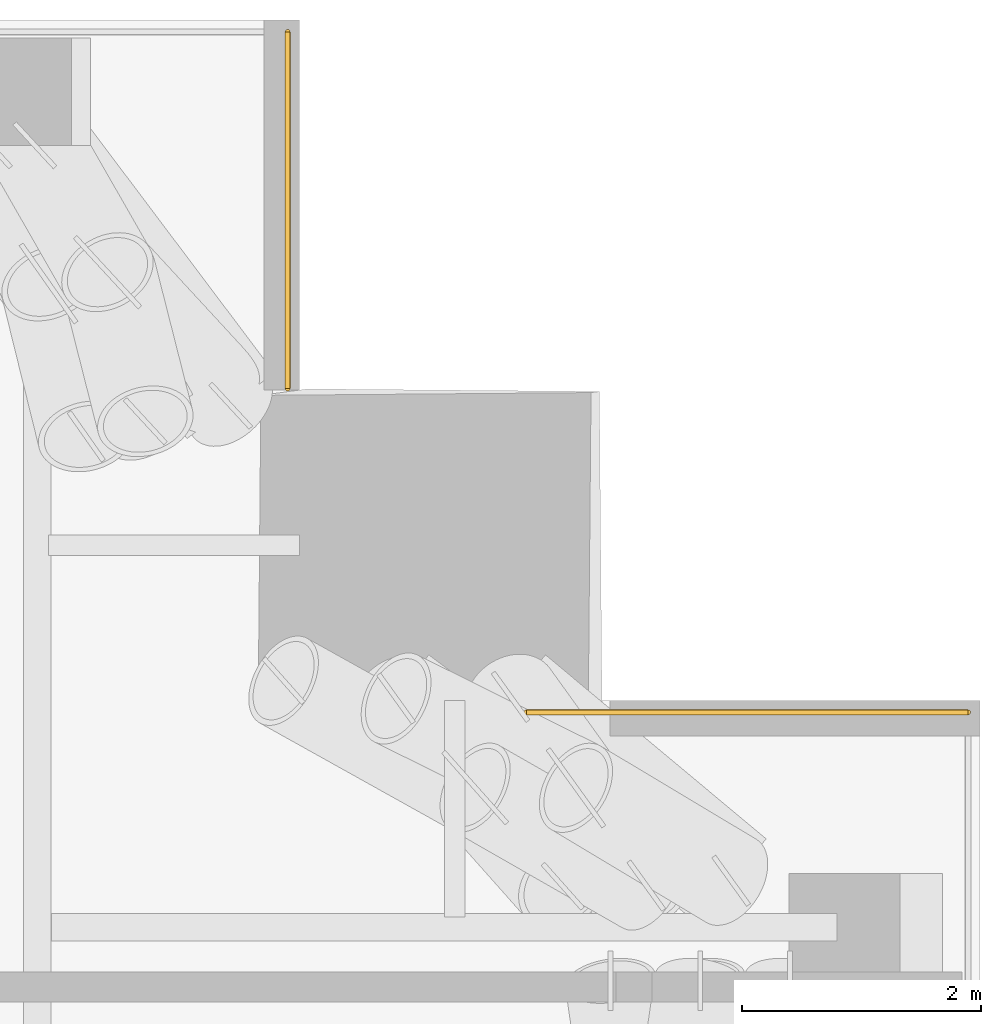
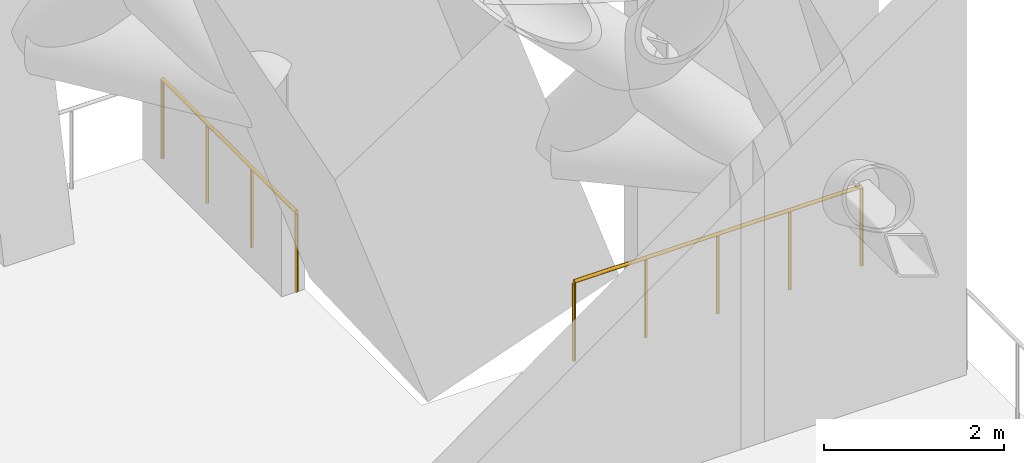
# One storey, part 18 of 18: 2 railings.
"""IFC4 building model written with IfcOpenShell, lengths in metres."""

from ifc_helpers import new_model, si_unit, direction, frame, origin, origin_2d, place, context, subcontext, project, spatial, circle, extrude, material, type_object, element, save


model = new_model("IFC4")

# Units and contexts
model_context = context("Model", 3, precision=1e-05, world=origin(), true_north=direction((0.0, 1.0)))
body_context = subcontext(model_context, "Body", "Model", "MODEL_VIEW")
ifc_project = project(units=[si_unit("LENGTHUNIT", "METRE"), si_unit("AREAUNIT", "SQUARE_METRE"), si_unit("VOLUMEUNIT", "CUBIC_METRE"), si_unit("PLANEANGLEUNIT", "RADIAN"), si_unit("MASSUNIT", "GRAM", prefix="KILO")], contexts=[model_context])

# Site, building, storey
site_placement = place(None, origin())
site = spatial("IfcSite", under=ifc_project, at=site_placement, CompositionType="ELEMENT")
building_placement = place(site_placement, origin())
building = spatial("IfcBuilding", under=site, at=building_placement, Name="Amberfall Residences", CompositionType="ELEMENT")
storey_placement = place(building_placement, frame((0.0, 0.0, 229.89990234375)))
storey = spatial("IfcBuildingStorey", under=building, at=storey_placement, Name="L62", CompositionType="ELEMENT", Elevation=229.89990234375)

# Railings
ifc_material = material(Name="Bronze anodised aluminium and laminated glass", Category="aluminium")
railing_type = type_object("IfcRailingType", Name="Refuge edge guard 1100", PredefinedType="GUARDRAIL", material=ifc_material)
railing_1_placement = place(storey_placement, frame((91.699951171875, 67.89990234375, 0.0)))
element("IfcRailing", 1, at=railing_1_placement, inside=storey, type_object=railing_type, Name="Refuge edge guard L62 12", PredefinedType="GUARDRAIL", context=body_context, shape_type="SweptSolid", body=[
    extrude(circle(Radius=0.02392578125, at=origin_2d()), frame((0.0, 0.0, 1.076171875), z_axis=(0.0, -1.0, 0.0), x_axis=(1.0, 0.0, 0.0)), (0.0, 0.0, 1.0), 2.9873046875),
    extrude(circle(Radius=0.02099609375, at=origin_2d()), origin(), (0.0, 0.0, 1.0), 1.052001953125),
    extrude(circle(Radius=0.02099609375, at=origin_2d()), frame((0.0, -0.995849609375, 0.0)), (0.0, 0.0, 1.0), 1.052001953125),
    extrude(circle(Radius=0.02099609375, at=origin_2d()), frame((0.0, -1.991455078125, 0.0)), (0.0, 0.0, 1.0), 1.052001953125),
    extrude(circle(Radius=0.02099609375, at=origin_2d()), frame((0.0, -2.9873046875, 0.0)), (0.0, 0.0, 1.0), 1.052001953125),
])
railing_2_placement = place(storey_placement, frame((93.701416015625, 62.199951171875, 0.0)))
element("IfcRailing", 2, at=railing_2_placement, inside=storey, type_object=railing_type, Name="Refuge edge guard L62 13", PredefinedType="GUARDRAIL", context=body_context, shape_type="SweptSolid", body=[
    extrude(circle(Radius=0.02392578125, at=origin_2d()), frame((0.0, 0.0, 1.076171875), z_axis=(1.0, 0.0, 0.0), x_axis=(0.0, 1.0, 0.0)), (0.0, 0.0, 1.0), 3.698486328125),
    extrude(circle(Radius=0.02099609375, at=origin_2d()), origin(), (0.0, 0.0, 1.0), 1.052001953125),
    extrude(circle(Radius=0.02099609375, at=origin_2d()), frame((0.924560546875, 0.0, 0.0)), (0.0, 0.0, 1.0), 1.052001953125),
    extrude(circle(Radius=0.02099609375, at=origin_2d()), frame((1.84912109375, 0.0, 0.0)), (0.0, 0.0, 1.0), 1.052001953125),
    extrude(circle(Radius=0.02099609375, at=origin_2d()), frame((2.77392578125, 0.0, 0.0)), (0.0, 0.0, 1.0), 1.052001953125),
    extrude(circle(Radius=0.02099609375, at=origin_2d()), frame((3.698486328125, 0.0, 0.0)), (0.0, 0.0, 1.0), 1.052001953125),
])

save(model, "model.ifc")
